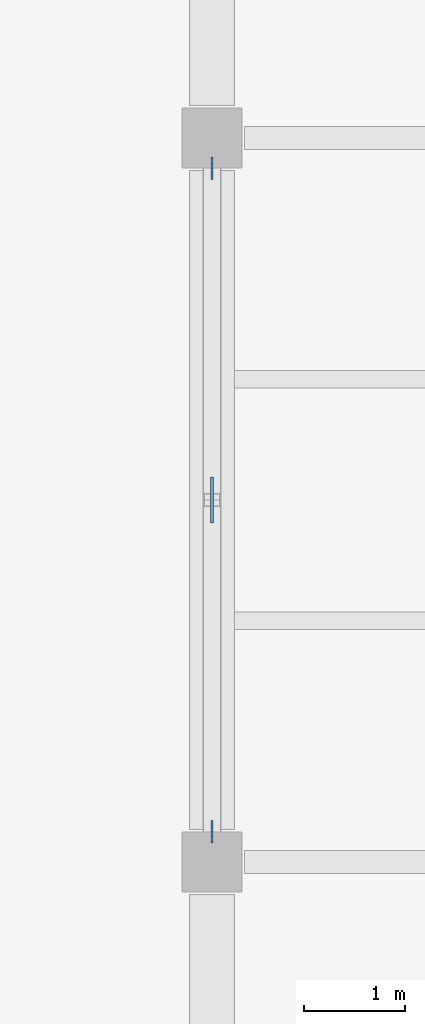
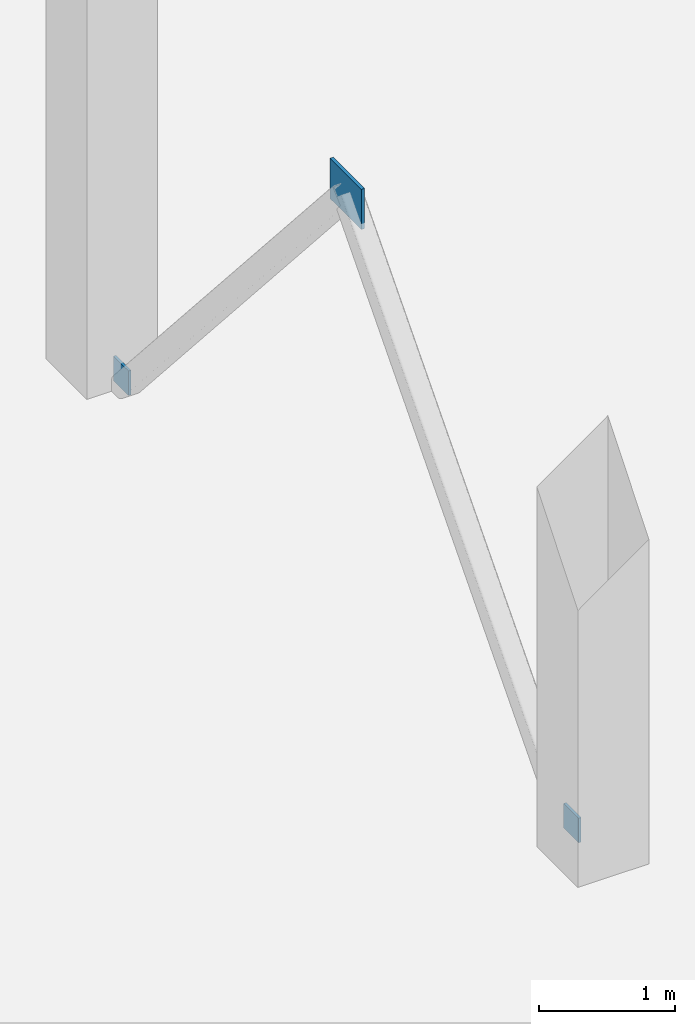
# One storey, part 86 of 123: 3 plates.
"""IFC4 building model written with IfcOpenShell, lengths in metres."""

from ifc_helpers import new_model, si_unit, direction, frame, origin, origin_2d, place, context, subcontext, project, spatial, rectangle, extrude, material, layer, layer_set, type_object, element, save


model = new_model("IFC4")

# Units and contexts
model_context = context("Model", 3, precision=1e-05, world=origin(), true_north=direction((0.0, 1.0)))
body_context = subcontext(model_context, "Body", "Model", "MODEL_VIEW")
ifc_project = project(units=[si_unit("LENGTHUNIT", "METRE"), si_unit("AREAUNIT", "SQUARE_METRE"), si_unit("VOLUMEUNIT", "CUBIC_METRE"), si_unit("PLANEANGLEUNIT", "RADIAN"), si_unit("MASSUNIT", "GRAM", prefix="KILO")], contexts=[model_context])

# Site, building, storey
site_placement = place(None, origin())
site = spatial("IfcSite", under=ifc_project, at=site_placement, CompositionType="ELEMENT")
building_placement = place(site_placement, origin())
building = spatial("IfcBuilding", under=site, at=building_placement, Name="Kalmorath City Hall", CompositionType="ELEMENT")
storey_placement = place(building_placement, frame((0.0, 0.0, 10.199951171875)))
storey = spatial("IfcBuildingStorey", under=building, at=storey_placement, Name="L02", CompositionType="ELEMENT", Elevation=10.199951171875)

# Plates
ifc_material_1 = material(Name="Steel ASTM A572 Grade 50", Category="steel")
ifc_layer_1 = layer(ifc_material_1, 0.02001953125)
ifc_layer_set_1 = layer_set([ifc_layer_1], Name="Steel ASTM A572 Grade 50")
plate_type_1 = type_object("IfcPlateType", Name="Steel HSS end-cap plate 220x220x20", PredefinedType="SHEET", material=ifc_layer_set_1)
for number, where, z_axis, x_axis, name in (
    (1, (64.800048828125, 101.10009765625, 0.0), (0.0, 0.0, 1.0), (0.0, 1.0, 0.0), "L02 brace foot end-plate GP5-26L"),
    (2, (64.800048828125, 107.699951171875, 0.0), (0.0, 0.0, 1.0), (0.0, 1.0, 0.0), "L02 brace foot end-plate GP5-26R"),
):
    element("IfcPlate", number, at=place(storey_placement, frame(where, z_axis=z_axis, x_axis=x_axis)), inside=storey, type_object=plate_type_1, Name=name, PredefinedType="SHEET", context=body_context, shape_type="SweptSolid", body=[
        extrude(rectangle(XDim=0.219970703125, YDim=0.02001953125, at=origin_2d()), origin(), (0.0, 0.0, 1.0), 0.219970703125),
    ])
ifc_material_2 = material(Name="Steel ASTM A572 Grade 50", Category="steel")
ifc_layer_2 = layer(ifc_material_2, 0.028076171875)
ifc_layer_set_2 = layer_set([ifc_layer_2], Name="Steel ASTM A572 Grade 50")
plate_type_2 = type_object("IfcPlateType", Name="Steel truss node gusset plate 460x360x28", PredefinedType="USERDEFINED", material=ifc_layer_set_2)
plate_placement = place(storey_placement, frame((64.800048828125, 104.39990234375, 3.56005859375), z_axis=(0.0, 0.0, 1.0), x_axis=(0.0, 1.0, 0.0)))
element("IfcPlate", 3, at=plate_placement, inside=storey, type_object=plate_type_2, Name="L02 brace gusset plate GP3-26", ObjectType="GUSSET PLATE", PredefinedType="USERDEFINED", context=body_context, shape_type="SweptSolid", body=[
    extrude(rectangle(XDim=0.4599609375, YDim=0.028076171875, at=origin_2d()), origin(), (0.0, 0.0, 1.0), 0.360107421875),
])

save(model, "model.ifc")
